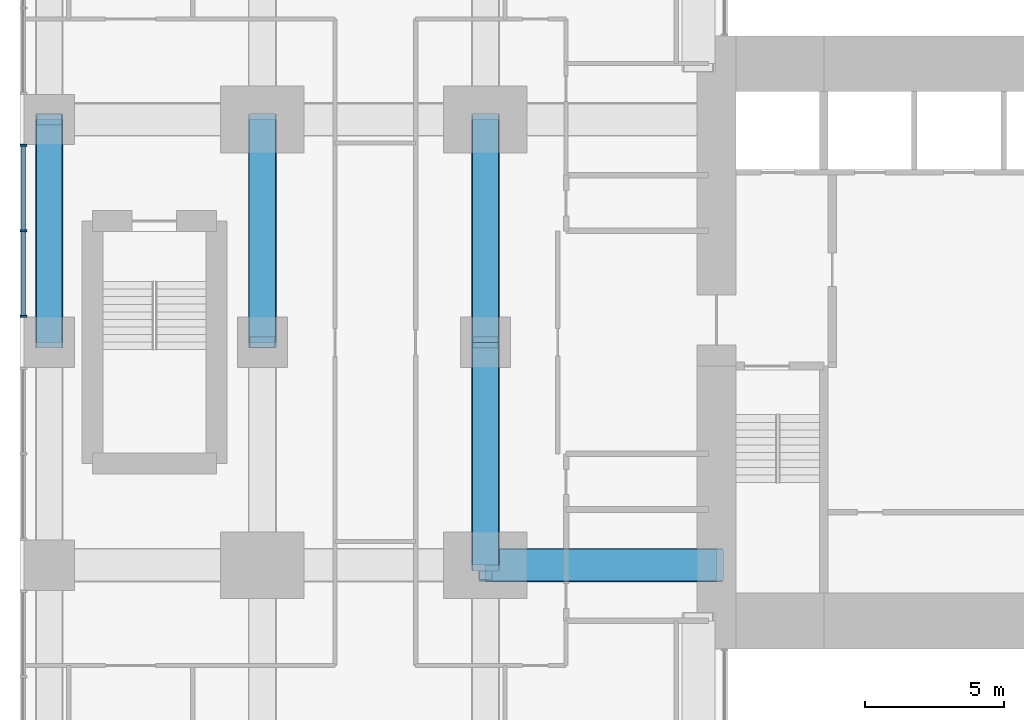
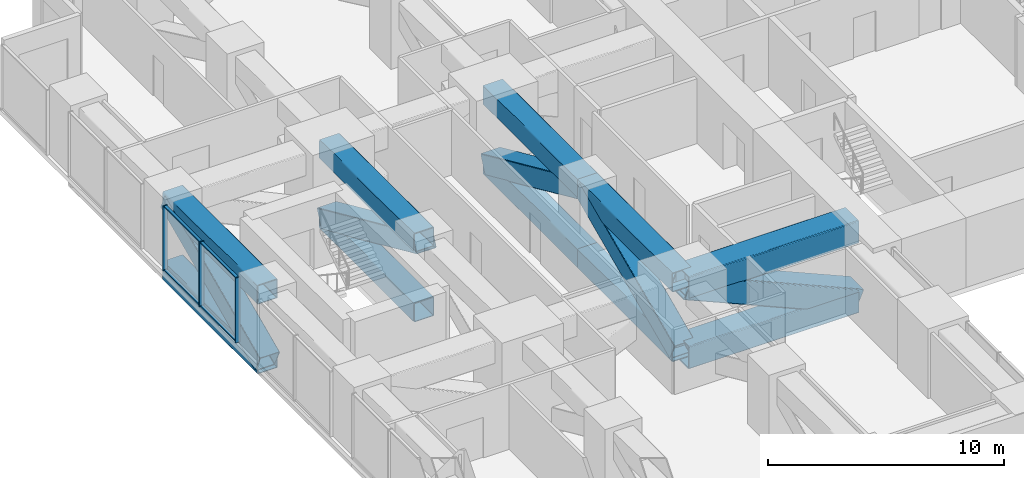
# One storey, part 3 of 14: 22 members, 1 element without a shape of its own.
"""IFC4 building model written with IfcOpenShell, lengths in metres."""

from ifc_helpers import new_model, si_unit, direction, frame, origin, origin_2d, place, context, subcontext, project, spatial, rectangle, hollow_rectangle, extrude, material, layer, layer_set, material_profile, profile_set, type_object, element, aggregate, save


model = new_model("IFC4")

# Units and contexts
model_context = context("Model", 3, precision=1e-05, world=origin(), true_north=direction((0.0, 1.0)))
body_context = subcontext(model_context, "Body", "Model", "MODEL_VIEW")
ifc_project = project(units=[si_unit("LENGTHUNIT", "METRE"), si_unit("AREAUNIT", "SQUARE_METRE"), si_unit("VOLUMEUNIT", "CUBIC_METRE"), si_unit("PLANEANGLEUNIT", "RADIAN"), si_unit("MASSUNIT", "GRAM", prefix="KILO")], contexts=[model_context])

# Site, building, storey
site_placement = place(None, origin())
site = spatial("IfcSite", under=ifc_project, at=site_placement, CompositionType="ELEMENT")
building_placement = place(site_placement, origin())
building = spatial("IfcBuilding", under=site, at=building_placement, Name="Cleftline Residences", CompositionType="ELEMENT")
storey_placement = place(building_placement, frame((0.0, 0.0, 200.199951171875)))
storey = spatial("IfcBuildingStorey", under=building, at=storey_placement, Name="L52", CompositionType="ELEMENT", Elevation=200.199951171875)

# Members
ifc_material_1 = material(Name="Steel S355", Category="steel")
ifc_material_profile_1 = material_profile(ifc_material_1, hollow_rectangle(XDim=1.0, YDim=1.0, WallThickness=0.0400390625, InnerFilletRadius=0.0400390625, OuterFilletRadius=0.06005859375, at=origin_2d()))
ifc_profile_set_1 = profile_set([ifc_material_profile_1], Name="Steel S355")
member_type_1 = type_object("IfcMemberType", Name="BRACE BOX 1000X1000X40", PredefinedType="BRACE", material=ifc_profile_set_1)
for number, where, z_axis, x_axis, name in (
    (1, (0.35009765625, 24.0, -0.75), (0.0, 0.91191733938, 0.410373934525), (0.0, -0.410373934525, 0.91191733938), "Belt truss diagonal"),
    (2, (8.0, 24.0, 2.85009765625), (0.0, 0.91191733938, -0.410373934525), (0.0, 0.410373934525, 0.91191733938), "Belt truss diagonal"),
    (3, (16.0, 16.0, -0.75), (0.0, 0.91191733938, 0.410373934525), (0.0, -0.410373934525, 0.91191733938), "Belt truss diagonal"),
    (4, (16.0, 24.0, 2.85009765625), (0.0, 0.91191733938, -0.410373934525), (0.0, 0.410373934525, 0.91191733938), "Belt truss diagonal"),
):
    element("IfcMember", number, at=place(storey_placement, frame(where, z_axis=z_axis, x_axis=x_axis)), inside=storey, type_object=member_type_1, Name=name, PredefinedType="BRACE", context=body_context, shape_type="SweptSolid", body=[
        extrude(hollow_rectangle(XDim=1.0, YDim=1.0, WallThickness=0.0400390625, InnerFilletRadius=0.0400390625, OuterFilletRadius=0.06005859375, at=origin_2d()), origin(), (0.0, 0.0, 1.0), 8.772705078125),
    ])
ifc_material_2 = material(Name="Steel S355", Category="steel")
ifc_material_profile_2 = material_profile(ifc_material_2, hollow_rectangle(XDim=1.199951171875, YDim=1.199951171875, WallThickness=0.06005859375, InnerFilletRadius=0.06005859375, OuterFilletRadius=0.090087890625, at=origin_2d()))
ifc_profile_set_2 = profile_set([ifc_material_profile_2], Name="Steel S355")
member_type_2 = type_object("IfcMemberType", Name="BRACE BOX 1200X1200X60", PredefinedType="BRACE", material=ifc_profile_set_2)
member_1_placement = place(storey_placement, frame((24.300048828125, 16.0, -0.849853515625), z_axis=(-0.917427920438, 0.0, 0.397902011556), x_axis=(0.397902011556, 0.0, 0.917427920438)))
element("IfcMember", 5, at=member_1_placement, inside=storey, type_object=member_type_2, Name="Outrigger truss diagonal", PredefinedType="BRACE", context=body_context, shape_type="SweptSolid", body=[
    extrude(hollow_rectangle(XDim=1.199951171875, YDim=1.199951171875, WallThickness=0.06005859375, InnerFilletRadius=0.06005859375, OuterFilletRadius=0.090087890625, at=origin_2d()), origin(), (0.0, 0.0, 1.0), 9.047119140625),
])
ifc_material_3 = material(Name="Steel S355", Category="steel")
ifc_material_profile_3 = material_profile(ifc_material_3, hollow_rectangle(XDim=1.0, YDim=1.0, WallThickness=0.0400390625, InnerFilletRadius=0.0400390625, OuterFilletRadius=0.06005859375, at=origin_2d()))
ifc_profile_set_3 = profile_set([ifc_material_profile_3], Name="Steel S355")
member_type_3 = type_object("IfcMemberType", Name="CHORD BOX 1000X1000X40", PredefinedType="CHORD", material=ifc_profile_set_3)
for number, where, z_axis, x_axis, name in (
    (6, (0.35009765625, 24.0, -0.75), (0.0, 1.0, 0.0), (-1.0, 0.0, 0.0), "Belt truss bottom chord"),
    (7, (0.35009765625, 24.0, 2.85009765625), (0.0, 1.0, 0.0), (-1.0, 0.0, 0.0), "Belt truss top chord"),
    (8, (8.0, 24.0, -0.75), (0.0, 1.0, 0.0), (-1.0, 0.0, 0.0), "Belt truss bottom chord"),
    (9, (8.0, 24.0, 2.85009765625), (0.0, 1.0, 0.0), (-1.0, 0.0, 0.0), "Belt truss top chord"),
    (10, (16.0, 16.0, -0.75), (0.0, 1.0, 0.0), (-1.0, 0.0, 0.0), "Belt truss bottom chord"),
    (11, (16.0, 16.0, 2.85009765625), (0.0, 1.0, 0.0), (-1.0, 0.0, 0.0), "Belt truss top chord"),
    (12, (16.0, 24.0, -0.75), (0.0, 1.0, 0.0), (-1.0, 0.0, 0.0), "Belt truss bottom chord"),
    (13, (16.0, 24.0, 2.85009765625), (0.0, 1.0, 0.0), (-1.0, 0.0, 0.0), "Belt truss top chord"),
):
    element("IfcMember", number, at=place(storey_placement, frame(where, z_axis=z_axis, x_axis=x_axis)), inside=storey, type_object=member_type_3, Name=name, PredefinedType="CHORD", context=body_context, shape_type="SweptSolid", body=[
        extrude(hollow_rectangle(XDim=1.0, YDim=1.0, WallThickness=0.0400390625, InnerFilletRadius=0.0400390625, OuterFilletRadius=0.06005859375, at=origin_2d()), origin(), (0.0, 0.0, 1.0), 8.0),
    ])
ifc_material_4 = material(Name="Steel S355", Category="steel")
ifc_material_profile_4 = material_profile(ifc_material_4, hollow_rectangle(XDim=1.199951171875, YDim=1.199951171875, WallThickness=0.06005859375, InnerFilletRadius=0.06005859375, OuterFilletRadius=0.090087890625, at=origin_2d()))
ifc_profile_set_4 = profile_set([ifc_material_profile_4], Name="Steel S355")
member_type_4 = type_object("IfcMemberType", Name="CHORD BOX 1200X1200X60", PredefinedType="CHORD", material=ifc_profile_set_4)
for number, where, z_axis, x_axis, name in (
    (14, (24.300048828125, 16.0, -0.849853515625), (-1.0, 0.0, 0.0), (0.0, -1.0, 0.0), "Outrigger truss bottom chord"),
    (15, (24.300048828125, 16.0, 2.75), (-1.0, 0.0, 0.0), (0.0, -1.0, 0.0), "Outrigger truss top chord"),
):
    element("IfcMember", number, at=place(storey_placement, frame(where, z_axis=z_axis, x_axis=x_axis)), inside=storey, type_object=member_type_4, Name=name, PredefinedType="CHORD", context=body_context, shape_type="SweptSolid", body=[
        extrude(hollow_rectangle(XDim=1.199951171875, YDim=1.199951171875, WallThickness=0.06005859375, InnerFilletRadius=0.06005859375, OuterFilletRadius=0.090087890625, at=origin_2d()), origin(), (0.0, 0.0, 1.0), 8.300048828125),
    ])

# Curtain wall, members
ifc_material_5 = material(Name="Aluminium framed curtain wall", Category="aluminium")
ifc_layer = layer(ifc_material_5, 0.199951171875)
ifc_layer_set = layer_set([ifc_layer], Name="CW4 SKY LOUNGE GLAZING")
curtain_wall_type = type_object("IfcCurtainWallType", Name="CW4 SKY LOUNGE GLAZING", PredefinedType="NOTDEFINED", material=ifc_layer_set)
curtain_wall_placement = place(storey_placement, origin())
curtain_wall = element("IfcCurtainWall", 16, at=curtain_wall_placement, inside=storey, type_object=curtain_wall_type, Name="Curtain wall CW4", PredefinedType="NOTDEFINED")
ifc_material_6 = material(Name="Aluminium mullion", Category="aluminium")
ifc_material_profile_5 = material_profile(ifc_material_6, rectangle(XDim=0.219970703125, YDim=0.06494140625, at=origin_2d()))
ifc_profile_set_5 = profile_set([ifc_material_profile_5], Name="Aluminium mullion")
member_type_5 = type_object("IfcMemberType", Name="CW4 MULLION", PredefinedType="MULLION", material=ifc_profile_set_5)
member_2_placement = place(storey_placement, frame((-0.574951171875, 31.0673828125, 0.0), z_axis=(0.0, 0.0, 1.0), x_axis=(1.0, 0.0, 0.0)))
member_2 = element("IfcMember", 17, at=member_2_placement, type_object=member_type_5, Name="CW4 mullion 1", PredefinedType="MULLION", context=body_context, shape_type="SweptSolid", body=[
    extrude(rectangle(XDim=0.219970703125, YDim=0.06494140625, at=origin_2d()), origin(), (0.0, 0.0, 1.0), 3.35009765625),
])
member_3_placement = place(storey_placement, frame((-0.574951171875, 28.0, 0.0), z_axis=(0.0, 0.0, 1.0), x_axis=(1.0, 0.0, 0.0)))
member_3 = element("IfcMember", 18, at=member_3_placement, type_object=member_type_5, Name="CW4 mullion 2", PredefinedType="MULLION", context=body_context, shape_type="SweptSolid", body=[
    extrude(rectangle(XDim=0.219970703125, YDim=0.06494140625, at=origin_2d()), origin(), (0.0, 0.0, 1.0), 3.35009765625),
])
member_4_placement = place(storey_placement, frame((-0.574951171875, 24.9326171875, 0.0), z_axis=(0.0, 0.0, 1.0), x_axis=(1.0, 0.0, 0.0)))
member_4 = element("IfcMember", 19, at=member_4_placement, type_object=member_type_5, Name="CW4 mullion 3", PredefinedType="MULLION", context=body_context, shape_type="SweptSolid", body=[
    extrude(rectangle(XDim=0.219970703125, YDim=0.06494140625, at=origin_2d()), origin(), (0.0, 0.0, 1.0), 3.35009765625),
])
ifc_material_7 = material(Name="Aluminium transom", Category="aluminium")
ifc_material_profile_6 = material_profile(ifc_material_7, rectangle(XDim=0.132080078125, YDim=0.06494140625, at=origin_2d()))
ifc_profile_set_6 = profile_set([ifc_material_profile_6], Name="Aluminium transom")
member_type_6 = type_object("IfcMemberType", Name="CW4 TRANSOM", PredefinedType="USERDEFINED", material=ifc_profile_set_6)
member_5_placement = place(storey_placement, frame((-0.574951171875, 31.034912109375, 0.032470703125), z_axis=(0.0, -1.0, 0.0), x_axis=(1.0, 0.0, 0.0)))
member_5 = element("IfcMember", 20, at=member_5_placement, type_object=member_type_6, Name="CW4 transom 1.1", ObjectType="TRANSOM", PredefinedType="USERDEFINED", context=body_context, shape_type="SweptSolid", body=[
    extrude(rectangle(XDim=0.132080078125, YDim=0.06494140625, at=origin_2d()), origin(), (0.0, 0.0, 1.0), 3.00244140625),
])
member_6_placement = place(storey_placement, frame((-0.574951171875, 31.034912109375, 3.317626953125), z_axis=(0.0, -1.0, 0.0), x_axis=(1.0, 0.0, 0.0)))
member_6 = element("IfcMember", 21, at=member_6_placement, type_object=member_type_6, Name="CW4 transom 1.2", ObjectType="TRANSOM", PredefinedType="USERDEFINED", context=body_context, shape_type="SweptSolid", body=[
    extrude(rectangle(XDim=0.132080078125, YDim=0.06494140625, at=origin_2d()), origin(), (0.0, 0.0, 1.0), 3.00244140625),
])
member_7_placement = place(storey_placement, frame((-0.574951171875, 27.967529296875, 0.032470703125), z_axis=(0.0, -1.0, 0.0), x_axis=(1.0, 0.0, 0.0)))
member_7 = element("IfcMember", 22, at=member_7_placement, type_object=member_type_6, Name="CW4 transom 2.1", ObjectType="TRANSOM", PredefinedType="USERDEFINED", context=body_context, shape_type="SweptSolid", body=[
    extrude(rectangle(XDim=0.132080078125, YDim=0.06494140625, at=origin_2d()), origin(), (0.0, 0.0, 1.0), 3.00244140625),
])
member_8_placement = place(storey_placement, frame((-0.574951171875, 27.967529296875, 3.317626953125), z_axis=(0.0, -1.0, 0.0), x_axis=(1.0, 0.0, 0.0)))
member_8 = element("IfcMember", 23, at=member_8_placement, type_object=member_type_6, Name="CW4 transom 2.2", ObjectType="TRANSOM", PredefinedType="USERDEFINED", context=body_context, shape_type="SweptSolid", body=[
    extrude(rectangle(XDim=0.132080078125, YDim=0.06494140625, at=origin_2d()), origin(), (0.0, 0.0, 1.0), 3.00244140625),
])
aggregate(curtain_wall, [member_2, member_3, member_4, member_5, member_6, member_7, member_8])

save(model, "model.ifc")
